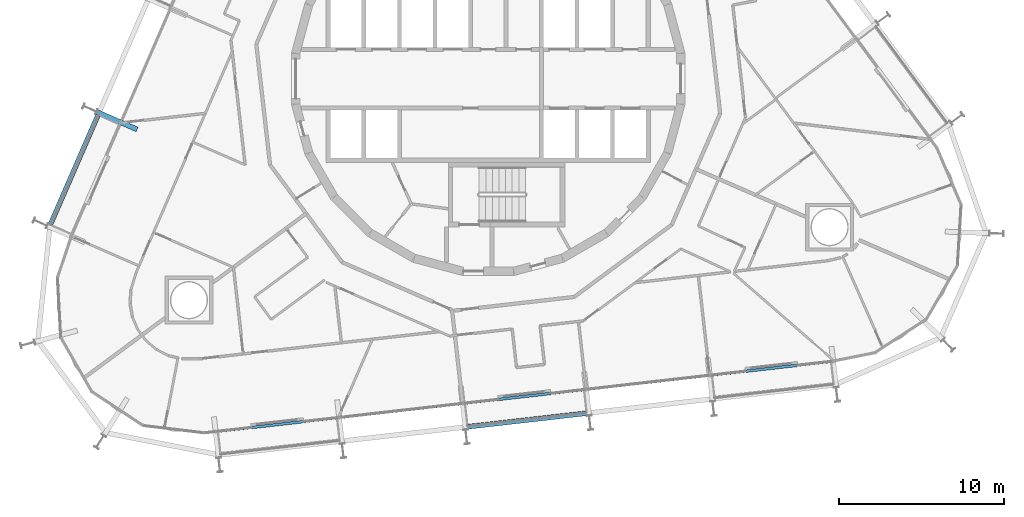
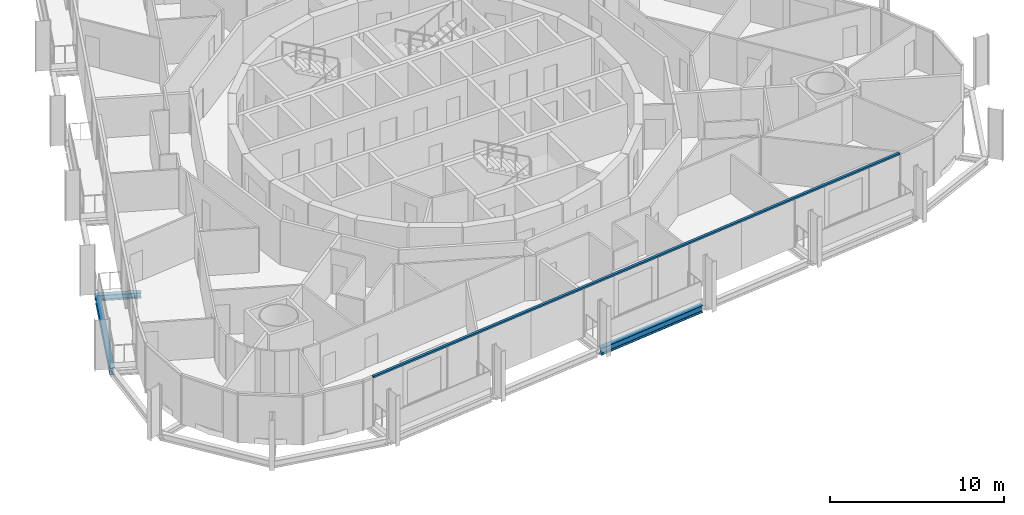
# One storey, part 4 of 24: 3 beams, 1 member, 1 element without a shape of its own.
"""IFC4 building model written with IfcOpenShell, lengths in metres."""

from ifc_helpers import new_model, si_unit, direction, frame, origin, origin_2d, place, context, subcontext, project, spatial, rectangle, i_section, extrude, material, layer, layer_set, material_profile, profile_set, type_object, element, aggregate, save


model = new_model("IFC4")

# Units and contexts
model_context = context("Model", 3, precision=1e-05, world=origin(), true_north=direction((0.0, 1.0)))
body_context = subcontext(model_context, "Body", "Model", "MODEL_VIEW")
ifc_project = project(units=[si_unit("LENGTHUNIT", "METRE"), si_unit("AREAUNIT", "SQUARE_METRE"), si_unit("VOLUMEUNIT", "CUBIC_METRE"), si_unit("PLANEANGLEUNIT", "RADIAN"), si_unit("MASSUNIT", "GRAM", prefix="KILO")], contexts=[model_context])

# Site, building, storey
site_placement = place(None, origin())
site = spatial("IfcSite", under=ifc_project, at=site_placement, CompositionType="ELEMENT")
building_placement = place(site_placement, origin())
building = spatial("IfcBuilding", under=site, at=building_placement, Name="Spindle Arch Residences", CompositionType="ELEMENT")
storey_placement = place(building_placement, frame((0.0, 0.0, 94.199951171875)))
storey = spatial("IfcBuildingStorey", under=building, at=storey_placement, Name="L22", CompositionType="ELEMENT", Elevation=94.199951171875)

# Curtain wall, member
ifc_material_1 = material(Name="Aluminium bronze unitised frame with tinted glass", Category="aluminium")
ifc_layer = layer(ifc_material_1, 0.159912109375)
ifc_layer_set = layer_set([ifc_layer], Name="CW-C typical residential unitised wall")
curtain_wall_type = type_object("IfcCurtainWallType", Name="CW-C typical residential unitised wall", PredefinedType="NOTDEFINED", material=ifc_layer_set)
curtain_wall_placement = place(storey_placement, origin())
curtain_wall = element("IfcCurtainWall", 1, at=curtain_wall_placement, inside=storey, type_object=curtain_wall_type, Name="CW-C L22 run 6", PredefinedType="NOTDEFINED")
ifc_material_2 = material(Name="Aluminium bronze anodised transom", Category="aluminium")
ifc_material_profile_1 = material_profile(ifc_material_2, rectangle(XDim=0.159912109375, YDim=0.1201171875, at=origin_2d()), Name="TR 120x160")
ifc_profile_set_1 = profile_set([ifc_material_profile_1], Name="Aluminium bronze anodised transom")
member_type = type_object("IfcMemberType", Name="Bronze transom 120x160", PredefinedType="USERDEFINED", material=ifc_profile_set_1)
member_placement = place(storey_placement, frame((-16.457275390625, -21.337646484375, 3.06005859375), z_axis=(0.993571693336, 0.1132046386, 0.0), x_axis=(-0.1132046386, 0.993571693336, 0.0)))
member = element("IfcMember", 2, at=member_placement, type_object=member_type, Name="CW-C transom 00", ObjectType="TRANSOM", PredefinedType="USERDEFINED", context=body_context, shape_type="SweptSolid", body=[
    extrude(rectangle(XDim=0.159912109375, YDim=0.1201171875, at=origin_2d()), origin(), (0.0, 0.0, 1.0), 37.533935546875),
])
aggregate(curtain_wall, [member])

# Beams
ifc_material_3 = material(Name="Steel S460ML, intumescent coating R 120", Category="steel")
ifc_material_profile_2 = material_profile(ifc_material_3, i_section(OverallWidth=0.300048828125, OverallDepth=0.5, WebThickness=0.014404296875, FlangeThickness=0.028076171875, FilletRadius=0.027099609375, at=origin_2d()), Name="HEB 500")
ifc_profile_set_2 = profile_set([ifc_material_profile_2], Name="Steel S460ML, intumescent coating R 120")
beam_type_1 = type_object("IfcBeamType", Name="Exoskeleton edge beam HEB 500", PredefinedType="BEAM", material=ifc_profile_set_2)
beam_1_placement = place(storey_placement, frame((-23.5966796875, -2.1796875, -0.6298828125), z_axis=(-0.398760546857, -0.917055083553, 0.0), x_axis=(0.917055083553, -0.398760546857, 0.0)))
element("IfcBeam", 3, at=beam_1_placement, inside=storey, type_object=beam_type_1, Name="Exoskeleton edge beam 18", PredefinedType="BEAM", context=body_context, shape_type="SweptSolid", body=[
    extrude(i_section(OverallWidth=0.300048828125, OverallDepth=0.5, WebThickness=0.014404296875, FlangeThickness=0.028076171875, FilletRadius=0.027099609375, at=origin_2d()), origin(), (0.0, 0.0, 1.0), 7.2587890625),
])
beam_2_placement = place(storey_placement, frame((-1.2548828125, -21.0478515625, -0.6298828125), z_axis=(0.993575205863, 0.113173805691, 0.0), x_axis=(-0.113173805691, 0.993575205863, 0.0)))
element("IfcBeam", 4, at=beam_2_placement, inside=storey, type_object=beam_type_1, Name="Exoskeleton edge beam 24", PredefinedType="BEAM", context=body_context, shape_type="SweptSolid", body=[
    extrude(i_section(OverallWidth=0.300048828125, OverallDepth=0.5, WebThickness=0.014404296875, FlangeThickness=0.028076171875, FilletRadius=0.027099609375, at=origin_2d()), origin(), (0.0, 0.0, 1.0), 7.259033203125),
])
ifc_material_4 = material(Name="Steel S460ML, intumescent coating R 120", Category="steel")
ifc_material_profile_3 = material_profile(ifc_material_4, i_section(OverallWidth=0.300048828125, OverallDepth=0.389892578125, WebThickness=0.010986328125, FlangeThickness=0.01904296875, FilletRadius=0.027099609375, at=origin_2d()), Name="HEA 400")
ifc_profile_set_3 = profile_set([ifc_material_profile_3], Name="Steel S460ML, intumescent coating R 120")
beam_type_2 = type_object("IfcBeamType", Name="Floor outrigger HEA 400", PredefinedType="BEAM", material=ifc_profile_set_3)
beam_3_placement = place(storey_placement, frame((-23.670654296875, -2.005859375, -0.574951171875), z_axis=(0.917064197317, -0.398739586698, 0.0), x_axis=(0.398739586698, 0.917064197317, 0.0)))
element("IfcBeam", 5, at=beam_3_placement, inside=storey, type_object=beam_type_2, Name="Floor outrigger 18", PredefinedType="BEAM", context=body_context, shape_type="SweptSolid", body=[
    extrude(i_section(OverallWidth=0.300048828125, OverallDepth=0.389892578125, WebThickness=0.010986328125, FlangeThickness=0.01904296875, FilletRadius=0.027099609375, at=origin_2d()), origin(), (0.0, 0.0, 1.0), 2.64990234375),
])

save(model, "model.ifc")
